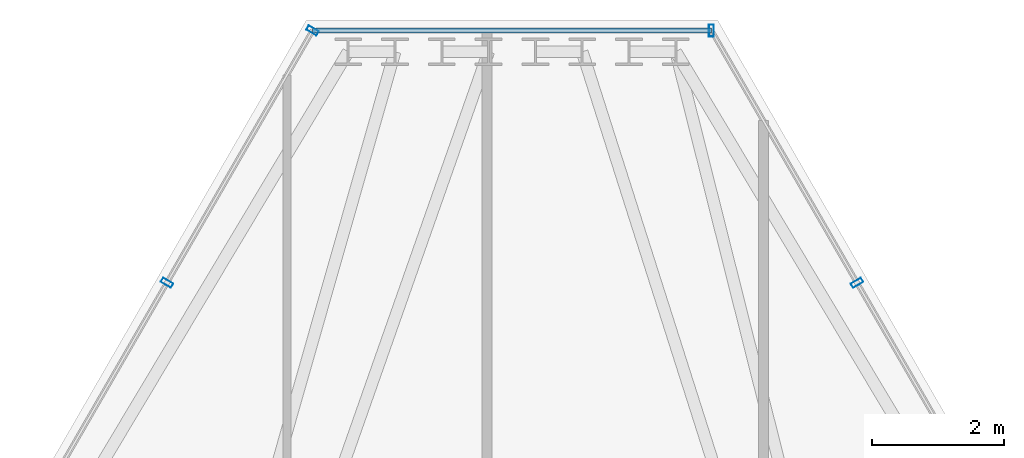
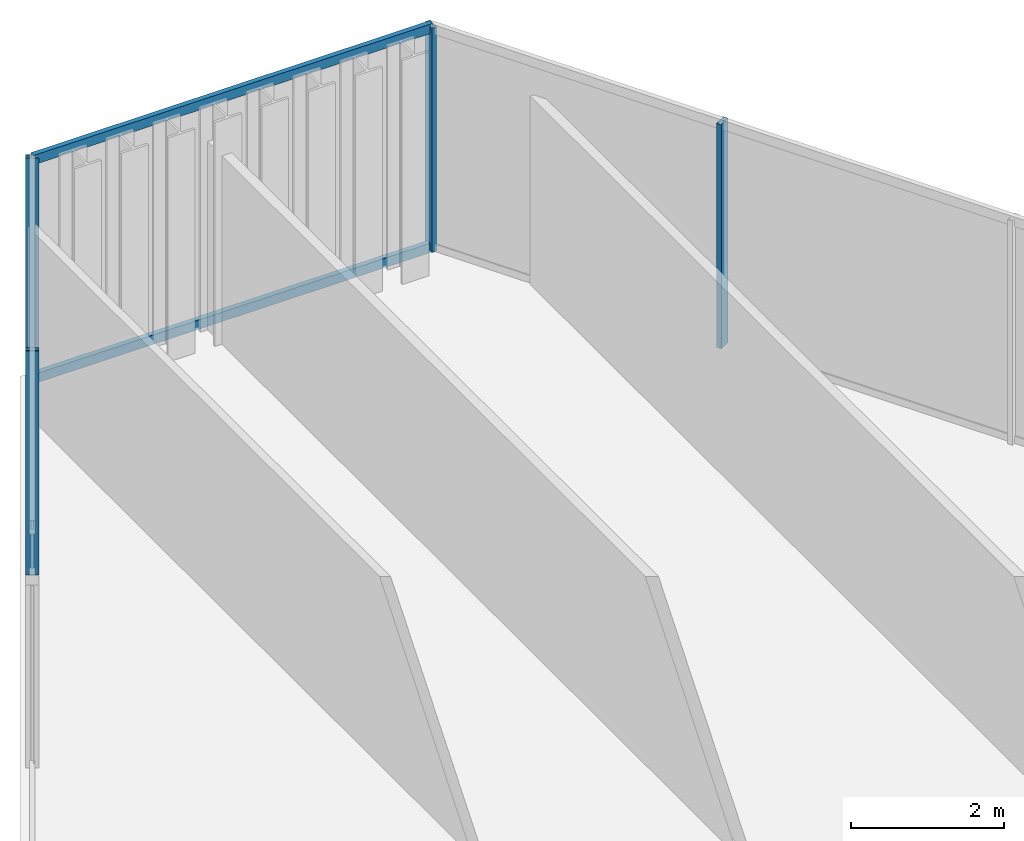
# One storey, part 25 of 32: 6 members, 3 elements without a shape of their own.
"""IFC4 building model written with IfcOpenShell, lengths in metres."""

from ifc_helpers import new_model, si_unit, direction, frame, origin, origin_2d, place, context, subcontext, project, spatial, hollow_rectangle, extrude, material, layer, layer_set, material_profile, profile_set, type_object, element, aggregate, save


model = new_model("IFC4")

# Units and contexts
model_context = context("Model", 3, precision=1e-05, world=origin(), true_north=direction((0.0, 1.0)))
body_context = subcontext(model_context, "Body", "Model", "MODEL_VIEW")
ifc_project = project(units=[si_unit("LENGTHUNIT", "METRE"), si_unit("AREAUNIT", "SQUARE_METRE"), si_unit("VOLUMEUNIT", "CUBIC_METRE"), si_unit("PLANEANGLEUNIT", "RADIAN"), si_unit("MASSUNIT", "GRAM", prefix="KILO")], contexts=[model_context])

# Site, building, storey
site_placement = place(None, origin())
site = spatial("IfcSite", under=ifc_project, at=site_placement, CompositionType="ELEMENT")
building_placement = place(site_placement, origin())
building = spatial("IfcBuilding", under=site, at=building_placement, Name="Ndaravel Arena Tower", CompositionType="ELEMENT")
storey_placement = place(building_placement, frame((0.0, 0.0, 256.0)))
storey = spatial("IfcBuildingStorey", under=building, at=storey_placement, Name="L62", CompositionType="ELEMENT", Elevation=256.0)

# Curtain wall, member
ifc_material_1 = material(Name="Aluminium", Category="aluminium")
ifc_layer_1 = layer(ifc_material_1, 0.179931640625)
ifc_layer_set_1 = layer_set([ifc_layer_1], Name="Aluminium")
curtain_wall_type_1 = type_object("IfcCurtainWallType", Name="CW-SYS-03", PredefinedType="NOTDEFINED", material=ifc_layer_set_1)
curtain_wall_1_placement = place(storey_placement, origin())
curtain_wall_1 = element("IfcCurtainWall", 1, at=curtain_wall_1_placement, inside=storey, type_object=curtain_wall_type_1, Name="L62 Faceted Crystal Curtain Wall CW-L62-E03", PredefinedType="NOTDEFINED")
ifc_material_2 = material(Name="Aluminium", Category="aluminium")
ifc_material_profile_1 = material_profile(ifc_material_2, hollow_rectangle(XDim=0.074951171875, YDim=0.179931640625, WallThickness=0.00390625, at=origin_2d()), Name="CW MULLION 75x180x4")
ifc_profile_set_1 = profile_set([ifc_material_profile_1], Name="Aluminium")
member_type_1 = type_object("IfcMemberType", Name="MEM-CW-MUL180", PredefinedType="MULLION", material=ifc_profile_set_1)
member_1_placement = place(storey_placement, frame((47.214111328125, 40.868408203125, 0.0), z_axis=(0.0, 0.0, 1.0), x_axis=(-0.5, 0.866025403784, 0.0)))
member_1 = element("IfcMember", 2, at=member_1_placement, type_object=member_type_1, Name="CW-L62-E03 Mullion 08", PredefinedType="MULLION", context=body_context, shape_type="SweptSolid", body=[
    extrude(hollow_rectangle(XDim=0.074951171875, YDim=0.179931640625, WallThickness=0.00390625, at=origin_2d()), origin(), (0.0, 0.0, 1.0), 3.580078125),
])
aggregate(curtain_wall_1, [member_1])

ifc_material_3 = material(Name="Aluminium", Category="aluminium")
ifc_layer_2 = layer(ifc_material_3, 0.179931640625)
ifc_layer_set_2 = layer_set([ifc_layer_2], Name="Aluminium")
curtain_wall_type_2 = type_object("IfcCurtainWallType", Name="CW-SYS-01", PredefinedType="NOTDEFINED", material=ifc_layer_set_2)
curtain_wall_2_placement = place(storey_placement, origin())
curtain_wall_2 = element("IfcCurtainWall", 3, at=curtain_wall_2_placement, inside=storey, type_object=curtain_wall_type_2, Name="L62 Faceted Crystal Curtain Wall CW-L62-E04", PredefinedType="NOTDEFINED")
member_2_placement = place(storey_placement, frame((45.013671875, 44.679443359375, 0.0), z_axis=(0.0, 0.0, 1.0), x_axis=(-1.0, 0.0, 0.0)))
member_2 = element("IfcMember", 4, at=member_2_placement, type_object=member_type_1, Name="CW-L62-E04 Mullion 00", PredefinedType="MULLION", context=body_context, shape_type="SweptSolid", body=[
    extrude(hollow_rectangle(XDim=0.074951171875, YDim=0.179931640625, WallThickness=0.00390625, at=origin_2d()), origin(), (0.0, 0.0, 1.0), 3.580078125),
])

# Curtain wall, members
curtain_wall_3_placement = place(storey_placement, origin())
curtain_wall_3 = element("IfcCurtainWall", 5, at=curtain_wall_3_placement, inside=storey, type_object=curtain_wall_type_1, Name="L62 Faceted Crystal Curtain Wall CW-L62-E05", PredefinedType="NOTDEFINED")
member_3_placement = place(storey_placement, frame((38.986328125, 44.679443359375, 0.0), z_axis=(0.0, 0.0, 1.0), x_axis=(-0.5, -0.866025403784, 0.0)))
member_3 = element("IfcMember", 6, at=member_3_placement, type_object=member_type_1, Name="CW-L62-E05 Mullion 00", PredefinedType="MULLION", context=body_context, shape_type="SweptSolid", body=[
    extrude(hollow_rectangle(XDim=0.074951171875, YDim=0.179931640625, WallThickness=0.00390625, at=origin_2d()), origin(), (0.0, 0.0, 1.0), 3.580078125),
])
member_4_placement = place(storey_placement, frame((36.785888671875, 40.868408203125, 0.0), z_axis=(0.0, 0.0, 1.0), x_axis=(-0.5, -0.866025403784, 0.0)))
member_4 = element("IfcMember", 7, at=member_4_placement, type_object=member_type_1, Name="CW-L62-E05 Mullion 01", PredefinedType="MULLION", context=body_context, shape_type="SweptSolid", body=[
    extrude(hollow_rectangle(XDim=0.074951171875, YDim=0.179931640625, WallThickness=0.00390625, at=origin_2d()), origin(), (0.0, 0.0, 1.0), 3.580078125),
])
aggregate(curtain_wall_3, [member_3, member_4])

# Member
ifc_material_4 = material(Name="Aluminium", Category="aluminium")
ifc_material_profile_2 = material_profile(ifc_material_4, hollow_rectangle(XDim=0.074951171875, YDim=0.14990234375, WallThickness=0.00390625, at=origin_2d()), Name="CW TRANSOM 75x150x4")
ifc_profile_set_2 = profile_set([ifc_material_profile_2], Name="Aluminium")
member_type_2 = type_object("IfcMemberType", Name="MEM-CW-TRN150", PredefinedType="USERDEFINED", material=ifc_profile_set_2)
member_5_placement = place(storey_placement, frame((45.013671875, 44.679443359375, 0.0400390625), z_axis=(-1.0, 0.0, 0.0), x_axis=(0.0, -1.0, 0.0)))
member_5 = element("IfcMember", 8, at=member_5_placement, type_object=member_type_2, Name="CW-L62-E04 Transom 01", ObjectType="TRANSOM", PredefinedType="USERDEFINED", context=body_context, shape_type="SweptSolid", body=[
    extrude(hollow_rectangle(XDim=0.074951171875, YDim=0.14990234375, WallThickness=0.00390625, at=origin_2d()), origin(), (0.0, 0.0, 1.0), 6.02734375),
])

member_6_placement = place(storey_placement, frame((45.013671875, 44.679443359375, 3.5400390625), z_axis=(-1.0, 0.0, 0.0), x_axis=(0.0, -1.0, 0.0)))
member_6 = element("IfcMember", 9, at=member_6_placement, type_object=member_type_2, Name="CW-L62-E04 Transom 02", ObjectType="TRANSOM", PredefinedType="USERDEFINED", context=body_context, shape_type="SweptSolid", body=[
    extrude(hollow_rectangle(XDim=0.074951171875, YDim=0.14990234375, WallThickness=0.00390625, at=origin_2d()), origin(), (0.0, 0.0, 1.0), 6.02734375),
])

aggregate(curtain_wall_2, [member_2, member_5, member_6])

save(model, "model.ifc")
